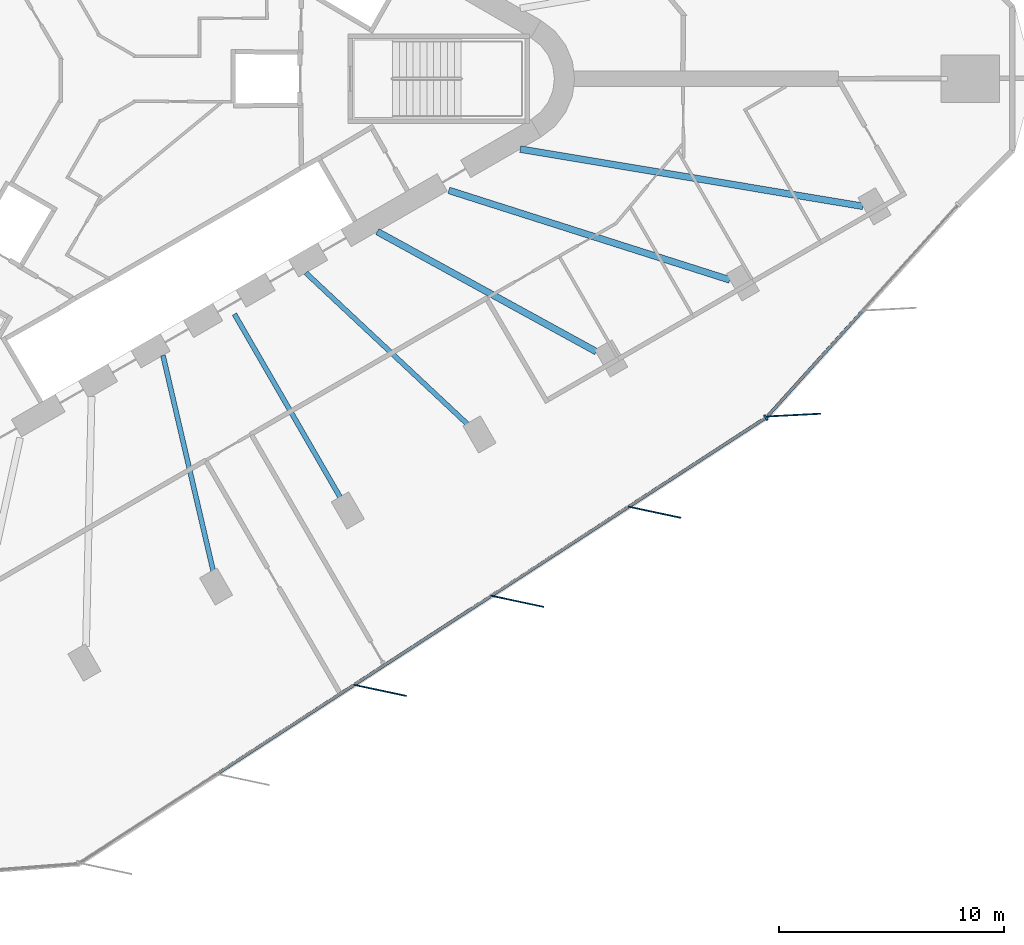
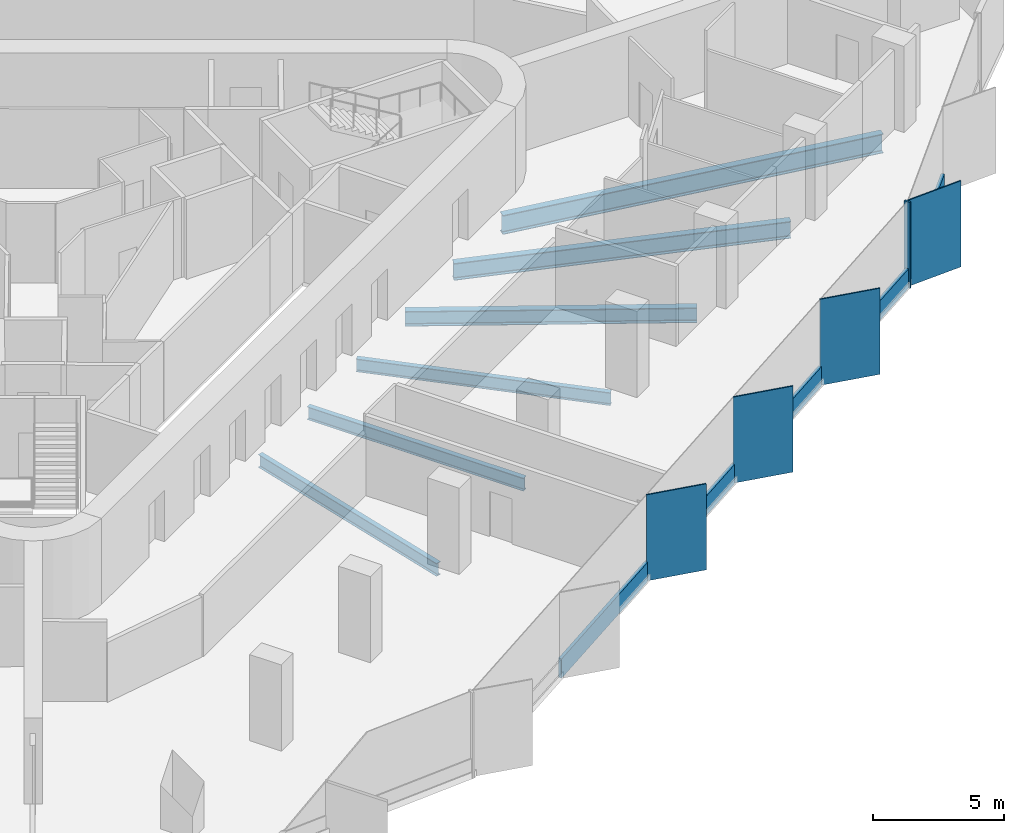
# One storey, part 3 of 14: 10 members, 6 beams, 2 elements without a shape of their own.
"""IFC4 building model written with IfcOpenShell, lengths in metres."""

from ifc_helpers import new_model, si_unit, direction, frame, origin, origin_2d, place, context, subcontext, project, spatial, rectangle, i_section, extrude, material, material_profile, profile_set, type_object, element, aggregate, save


model = new_model("IFC4")

# Units and contexts
model_context = context("Model", 3, precision=1e-05, world=origin(), true_north=direction((0.0, 1.0)))
body_context = subcontext(model_context, "Body", "Model", "MODEL_VIEW")
ifc_project = project(units=[si_unit("LENGTHUNIT", "METRE"), si_unit("AREAUNIT", "SQUARE_METRE"), si_unit("VOLUMEUNIT", "CUBIC_METRE"), si_unit("PLANEANGLEUNIT", "RADIAN"), si_unit("MASSUNIT", "GRAM", prefix="KILO")], contexts=[model_context])

# Site, building, storey
site_placement = place(None, origin())
site = spatial("IfcSite", under=ifc_project, at=site_placement, CompositionType="ELEMENT")
building_placement = place(site_placement, origin())
building = spatial("IfcBuilding", under=site, at=building_placement, Name="Tanit Gate Tower", CompositionType="ELEMENT")
storey_placement = place(building_placement, frame((0.0, 0.0, 205.199951171875)))
storey = spatial("IfcBuildingStorey", under=building, at=storey_placement, Name="L45", CompositionType="ELEMENT", Elevation=205.199951171875)

# Curtain wall, members
ifc_material_1 = material(Name="Aluminium bronze anodised and glass", Category="aluminium")
curtain_wall_type = type_object("IfcCurtainWallType", Name="Curtain wall typical mid", PredefinedType="NOTDEFINED", material=ifc_material_1)
curtain_wall_1_placement = place(storey_placement, origin())
curtain_wall_1 = element("IfcCurtainWall", 1, at=curtain_wall_1_placement, inside=storey, type_object=curtain_wall_type, Name="Curtain wall L45 SE2", PredefinedType="NOTDEFINED")
ifc_material_2 = material(Name="Aluminium bronze anodised", Category="aluminium")
ifc_material_profile_1 = material_profile(ifc_material_2, rectangle(XDim=2.39990234375, YDim=0.055908203125, at=origin_2d()), Name="56x2400 bronze fin mullion")
ifc_profile_set_1 = profile_set([ifc_material_profile_1], Name="Aluminium bronze anodised")
member_type_1 = type_object("IfcMemberType", Name="FIN MULLION 56x2400 bronze", PredefinedType="MULLION", material=ifc_profile_set_1)
member_1_placement = place(storey_placement, frame((12.534423828125, -27.232421875, -0.300048828125), z_axis=(0.0, 0.0, 1.0), x_axis=(-0.978078216824, 0.208237849046, 0.0)))
member_1 = element("IfcMember", 2, at=member_1_placement, type_object=member_type_1, Name="Fin mullion L45 SE2.3", PredefinedType="MULLION", context=body_context, shape_type="SweptSolid", body=[
    extrude(rectangle(XDim=2.39990234375, YDim=0.055908203125, at=origin_2d()), origin(), (0.0, 0.0, 1.0), 4.0),
])
member_2_placement = place(storey_placement, frame((18.646240234375, -23.266357421875, -0.300048828125), z_axis=(0.0, 0.0, 1.0), x_axis=(-0.978078216824, 0.208237849046, 0.0)))
member_2 = element("IfcMember", 3, at=member_2_placement, type_object=member_type_1, Name="Fin mullion L45 SE2.4", PredefinedType="MULLION", context=body_context, shape_type="SweptSolid", body=[
    extrude(rectangle(XDim=2.39990234375, YDim=0.055908203125, at=origin_2d()), origin(), (0.0, 0.0, 1.0), 4.0),
])
member_3_placement = place(storey_placement, frame((24.7578125, -19.300048828125, -0.300048828125), z_axis=(0.0, 0.0, 1.0), x_axis=(-0.978078216824, 0.208237849046, 0.0)))
member_3 = element("IfcMember", 4, at=member_3_placement, type_object=member_type_1, Name="Fin mullion L45 SE2.5", PredefinedType="MULLION", context=body_context, shape_type="SweptSolid", body=[
    extrude(rectangle(XDim=2.39990234375, YDim=0.055908203125, at=origin_2d()), origin(), (0.0, 0.0, 1.0), 4.0),
])

# Curtain wall, member
curtain_wall_2_placement = place(storey_placement, origin())
curtain_wall_2 = element("IfcCurtainWall", 5, at=curtain_wall_2_placement, inside=storey, type_object=curtain_wall_type, Name="Curtain wall L45 SE3", PredefinedType="NOTDEFINED")
member_4_placement = place(storey_placement, frame((30.954345703125, -14.97607421875, -0.300048828125), z_axis=(0.0, 0.0, 1.0), x_axis=(-0.998662240178, -0.051708123563, 0.0)))
member_4 = element("IfcMember", 6, at=member_4_placement, type_object=member_type_1, Name="Fin mullion L45 SE3.1", PredefinedType="MULLION", context=body_context, shape_type="SweptSolid", body=[
    extrude(rectangle(XDim=2.39990234375, YDim=0.055908203125, at=origin_2d()), origin(), (0.0, 0.0, 1.0), 4.0),
])

# Member
ifc_material_3 = material(Name="Aluminium bronze anodised", Category="aluminium")
ifc_material_profile_2 = material_profile(ifc_material_3, rectangle(XDim=0.260009765625, YDim=0.080078125, at=origin_2d()), Name="80x260 bronze mullion")
ifc_profile_set_2 = profile_set([ifc_material_profile_2], Name="Aluminium bronze anodised")
member_type_2 = type_object("IfcMemberType", Name="Mullion 80x260 typical mid", PredefinedType="MULLION", material=ifc_profile_set_2)
member_5_placement = place(storey_placement, frame((29.716796875, -15.088623046875, -0.300048828125), z_axis=(0.0, 0.0, 1.0), x_axis=(-0.544359344487, 0.838852134807, 0.0)))
member_5 = element("IfcMember", 7, at=member_5_placement, type_object=member_type_2, Name="Mullion L45 SE2.6", PredefinedType="MULLION", context=body_context, shape_type="SweptSolid", body=[
    extrude(rectangle(XDim=0.260009765625, YDim=0.080078125, at=origin_2d()), origin(), (0.0, 0.0, 1.0), 4.0),
])

# Beams
ifc_material_4 = material(Name="Steel S355", Category="steel")
ifc_material_profile_3 = material_profile(ifc_material_4, i_section(OverallWidth=0.300048828125, OverallDepth=0.68994140625, WebThickness=0.014404296875, FlangeThickness=0.027099609375, FilletRadius=0.027099609375, at=origin_2d()), Name="HEA 700")
ifc_profile_set_3 = profile_set([ifc_material_profile_3], Name="Steel S355")
beam_type_1 = type_object("IfcBeamType", Name="RADIAL GIRDER HEA 700 S355", PredefinedType="BEAM", material=ifc_profile_set_3)
beam_1_placement = place(storey_placement, frame((22.16259765625, -12.152587890625, -0.64501953125), z_axis=(-0.876836895989, 0.480787955165, 0.0), x_axis=(-0.480787955165, -0.876836895989, 0.0)))
element("IfcBeam", 8, at=beam_1_placement, inside=storey, type_object=beam_type_1, Name="RADIAL GIRDER", PredefinedType="BEAM", context=body_context, shape_type="SweptSolid", body=[
    extrude(i_section(OverallWidth=0.300048828125, OverallDepth=0.68994140625, WebThickness=0.014404296875, FlangeThickness=0.027099609375, FilletRadius=0.027099609375, at=origin_2d()), origin(), (0.0, 0.0, 1.0), 11.1181640625),
])
ifc_material_5 = material(Name="Steel S355", Category="steel")
ifc_material_profile_4 = material_profile(ifc_material_5, i_section(OverallWidth=0.300048828125, OverallDepth=0.7900390625, WebThickness=0.014892578125, FlangeThickness=0.028076171875, FilletRadius=0.030029296875, at=origin_2d()), Name="HEA 800")
ifc_profile_set_4 = profile_set([ifc_material_profile_4], Name="Steel S355")
beam_type_2 = type_object("IfcBeamType", Name="RADIAL GIRDER HEA 800 S355", PredefinedType="BEAM", material=ifc_profile_set_4)
beam_2_placement = place(storey_placement, frame((28.107666015625, -8.9580078125, -0.695068359375), z_axis=(-0.952781377786, 0.303657119369, 0.0), x_axis=(-0.303657119369, -0.952781377786, 0.0)))
element("IfcBeam", 9, at=beam_2_placement, inside=storey, type_object=beam_type_2, Name="RADIAL GIRDER", PredefinedType="BEAM", context=body_context, shape_type="SweptSolid", body=[
    extrude(i_section(OverallWidth=0.300048828125, OverallDepth=0.7900390625, WebThickness=0.014892578125, FlangeThickness=0.028076171875, FilletRadius=0.030029296875, at=origin_2d()), origin(), (0.0, 0.0, 1.0), 13.132568359375),
])
ifc_material_6 = material(Name="Steel S355", Category="steel")
ifc_material_profile_5 = material_profile(ifc_material_6, i_section(OverallWidth=0.300048828125, OverallDepth=0.889892578125, WebThickness=0.01611328125, FlangeThickness=0.030029296875, FilletRadius=0.030029296875, at=origin_2d()), Name="HEA 900")
ifc_profile_set_5 = profile_set([ifc_material_profile_5], Name="Steel S355")
beam_type_3 = type_object("IfcBeamType", Name="RADIAL GIRDER HEA 900 S355", PredefinedType="BEAM", material=ifc_profile_set_5)
beam_3_placement = place(storey_placement, frame((34.033203125, -5.679443359375, -0.744873046875), z_axis=(-0.986358065875, 0.164613990543, 0.0), x_axis=(-0.164613990543, -0.986358065875, 0.0)))
element("IfcBeam", 10, at=beam_3_placement, inside=storey, type_object=beam_type_3, Name="RADIAL GIRDER", PredefinedType="BEAM", context=body_context, shape_type="SweptSolid", body=[
    extrude(i_section(OverallWidth=0.300048828125, OverallDepth=0.889892578125, WebThickness=0.01611328125, FlangeThickness=0.030029296875, FilletRadius=0.030029296875, at=origin_2d()), origin(), (0.0, 0.0, 1.0), 15.46728515625),
])
ifc_material_7 = material(Name="Steel S355", Category="steel")
ifc_material_profile_6 = material_profile(ifc_material_7, i_section(OverallWidth=0.219970703125, OverallDepth=0.60009765625, WebThickness=0.011962890625, FlangeThickness=0.01904296875, FilletRadius=0.02392578125, at=origin_2d()), Name="IPE 600")
ifc_profile_set_6 = profile_set([ifc_material_profile_6], Name="Steel S355")
beam_type_4 = type_object("IfcBeamType", Name="RADIAL GIRDER IPE 600 S355", PredefinedType="BEAM", material=ifc_profile_set_6)
beam_4_placement = place(storey_placement, frame((5.123046875, -21.990478515625, -0.599853515625), z_axis=(-0.226882255877, 0.973922195028, 0.0), x_axis=(-0.973922195028, -0.226882255877, 0.0)))
element("IfcBeam", 11, at=beam_4_placement, inside=storey, type_object=beam_type_4, Name="RADIAL GIRDER", PredefinedType="BEAM", context=body_context, shape_type="SweptSolid", body=[
    extrude(i_section(OverallWidth=0.219970703125, OverallDepth=0.60009765625, WebThickness=0.011962890625, FlangeThickness=0.01904296875, FilletRadius=0.02392578125, at=origin_2d()), origin(), (0.0, 0.0, 1.0), 9.93212890625),
])
beam_5_placement = place(storey_placement, frame((10.802978515625, -18.711181640625, -0.599853515625), z_axis=(-0.500007084799, 0.866021313335, 0.0), x_axis=(-0.866021313335, -0.500007084799, 0.0)))
element("IfcBeam", 12, at=beam_5_placement, inside=storey, type_object=beam_type_4, Name="RADIAL GIRDER", PredefinedType="BEAM", context=body_context, shape_type="SweptSolid", body=[
    extrude(i_section(OverallWidth=0.219970703125, OverallDepth=0.60009765625, WebThickness=0.011962890625, FlangeThickness=0.01904296875, FilletRadius=0.02392578125, at=origin_2d()), origin(), (0.0, 0.0, 1.0), 9.503662109375),
])
beam_6_placement = place(storey_placement, frame((16.48291015625, -15.431884765625, -0.599853515625), z_axis=(-0.730001567612, 0.6834454706, 0.0), x_axis=(-0.6834454706, -0.730001567612, 0.0)))
element("IfcBeam", 13, at=beam_6_placement, inside=storey, type_object=beam_type_4, Name="RADIAL GIRDER", PredefinedType="BEAM", context=body_context, shape_type="SweptSolid", body=[
    extrude(i_section(OverallWidth=0.219970703125, OverallDepth=0.60009765625, WebThickness=0.011962890625, FlangeThickness=0.01904296875, FilletRadius=0.02392578125, at=origin_2d()), origin(), (0.0, 0.0, 1.0), 9.93212890625),
])

# Member
ifc_material_8 = material(Name="Aluminium bronze anodised", Category="aluminium")
ifc_material_profile_7 = material_profile(ifc_material_8, rectangle(XDim=0.139892578125, YDim=0.89990234375, at=origin_2d()), Name="140x900 bronze transom")
ifc_profile_set_7 = profile_set([ifc_material_profile_7], Name="Aluminium bronze anodised")
member_type_3 = type_object("IfcMemberType", Name="Transom 140x900 typical mid", PredefinedType="USERDEFINED", material=ifc_profile_set_7)
member_6_placement = place(storey_placement, frame((5.30322265625, -30.93115234375, 0.150146484375), z_axis=(0.838866790011, 0.544336760302, 0.0), x_axis=(-0.544336760302, 0.838866790011, 0.0)))
member_6 = element("IfcMember", 14, at=member_6_placement, type_object=member_type_3, Name="Transom L45 SE2.2", ObjectType="TRANSOM", PredefinedType="USERDEFINED", context=body_context, shape_type="SweptSolid", body=[
    extrude(rectangle(XDim=0.139892578125, YDim=0.89990234375, at=origin_2d()), origin(), (0.0, 0.0, 1.0), 7.205810546875),
])

member_7_placement = place(storey_placement, frame((11.4150390625, -26.965087890625, 0.150146484375), z_axis=(0.83885131888, 0.544360601819, 0.0), x_axis=(-0.544360601819, 0.83885131888, 0.0)))
member_7 = element("IfcMember", 15, at=member_7_placement, type_object=member_type_3, Name="Transom L45 SE2.3", ObjectType="TRANSOM", PredefinedType="USERDEFINED", context=body_context, shape_type="SweptSolid", body=[
    extrude(rectangle(XDim=0.139892578125, YDim=0.89990234375, at=origin_2d()), origin(), (0.0, 0.0, 1.0), 7.205810546875),
])

member_8_placement = place(storey_placement, frame((17.52685546875, -22.9990234375, 0.150146484375), z_axis=(0.838841278647, 0.544376073351, 0.0), x_axis=(-0.544376073351, 0.838841278647, 0.0)))
member_8 = element("IfcMember", 16, at=member_8_placement, type_object=member_type_3, Name="Transom L45 SE2.4", ObjectType="TRANSOM", PredefinedType="USERDEFINED", context=body_context, shape_type="SweptSolid", body=[
    extrude(rectangle(XDim=0.139892578125, YDim=0.89990234375, at=origin_2d()), origin(), (0.0, 0.0, 1.0), 7.205810546875),
])

member_9_placement = place(storey_placement, frame((23.638427734375, -19.032958984375, 0.150146484375), z_axis=(0.83885131888, 0.544360601819, 0.0), x_axis=(-0.544360601819, 0.83885131888, 0.0)))
member_9 = element("IfcMember", 17, at=member_9_placement, type_object=member_type_3, Name="Transom L45 SE2.5", ObjectType="TRANSOM", PredefinedType="USERDEFINED", context=body_context, shape_type="SweptSolid", body=[
    extrude(rectangle(XDim=0.139892578125, YDim=0.89990234375, at=origin_2d()), origin(), (0.0, 0.0, 1.0), 7.205810546875),
])

aggregate(curtain_wall_1, [member_1, member_2, member_3, member_5, member_6, member_7, member_8, member_9])

member_10_placement = place(storey_placement, frame((29.803955078125, -15.00732421875, 0.150146484375), z_axis=(0.669596981094, 0.742724634646, 0.0), x_axis=(-0.742724634646, 0.669596981094, 0.0)))
member_10 = element("IfcMember", 18, at=member_10_placement, type_object=member_type_3, Name="Transom L45 SE3.1", ObjectType="TRANSOM", PredefinedType="USERDEFINED", context=body_context, shape_type="SweptSolid", body=[
    extrude(rectangle(XDim=0.139892578125, YDim=0.89990234375, at=origin_2d()), origin(), (0.0, 0.0, 1.0), 6.269775390625),
])

aggregate(curtain_wall_2, [member_4, member_10])

save(model, "model.ifc")
